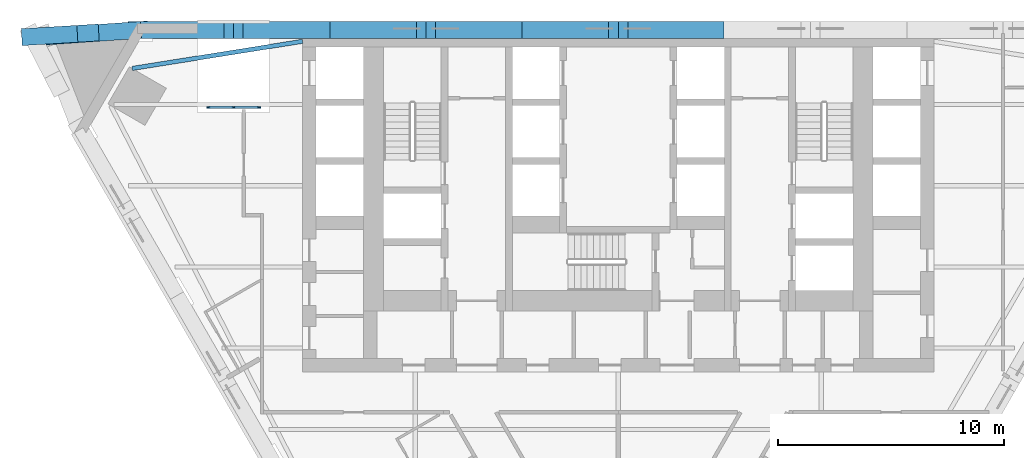
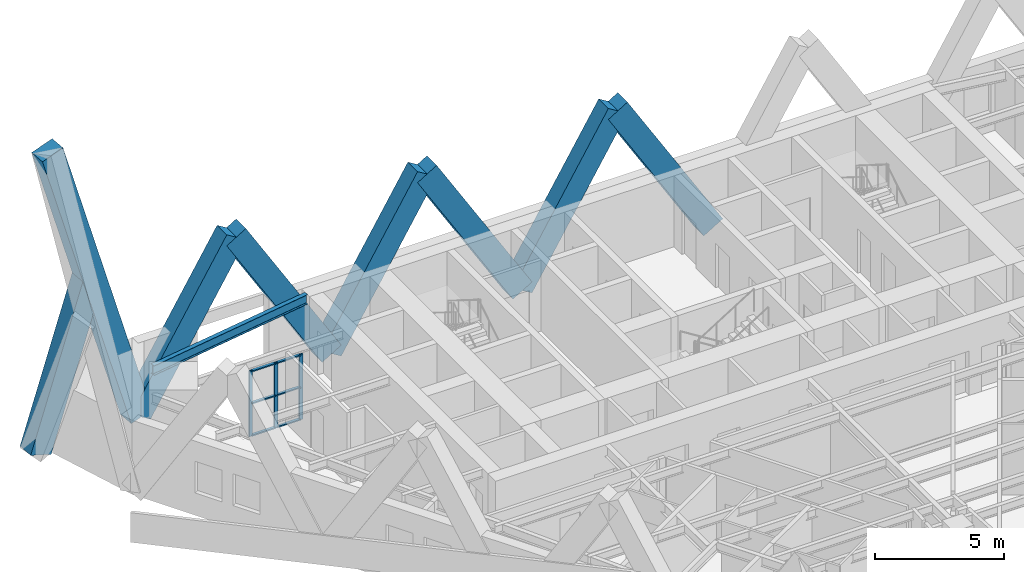
# One storey, part 2 of 11: 17 members, 1 beam, 1 element without a shape of its own.
"""IFC4 building model written with IfcOpenShell, lengths in metres."""

from ifc_helpers import new_model, si_unit, direction, frame, origin, origin_2d, place, context, subcontext, project, spatial, rectangle, i_section, extrude, material, material_profile, profile_set, type_object, element, aggregate, save


model = new_model("IFC4")

# Units and contexts
model_context = context("Model", 3, precision=1e-05, world=origin(), true_north=direction((0.0, 1.0)))
body_context = subcontext(model_context, "Body", "Model", "MODEL_VIEW")
ifc_project = project(units=[si_unit("LENGTHUNIT", "METRE"), si_unit("AREAUNIT", "SQUARE_METRE"), si_unit("VOLUMEUNIT", "CUBIC_METRE"), si_unit("PLANEANGLEUNIT", "RADIAN"), si_unit("MASSUNIT", "GRAM", prefix="KILO")], contexts=[model_context])

# Site, building, storey
site_placement = place(None, origin())
site = spatial("IfcSite", under=ifc_project, at=site_placement, CompositionType="ELEMENT")
building_placement = place(site_placement, origin())
building = spatial("IfcBuilding", under=site, at=building_placement, Name="Aloe Facet Convention Tower", CompositionType="ELEMENT")
storey_placement = place(building_placement, frame((0.0, 0.0, 95.800048828125)))
storey = spatial("IfcBuildingStorey", under=building, at=storey_placement, Name="L23", CompositionType="ELEMENT", Elevation=95.800048828125)

# Curtain wall, members
ifc_material_1 = material(Name="Aluminium, anodised", Category="aluminium")
curtain_wall_type = type_object("IfcCurtainWallType", Name="EV-CW-TERRACE", PredefinedType="USERDEFINED", material=ifc_material_1)
curtain_wall_placement = place(storey_placement, origin())
curtain_wall = element("IfcCurtainWall", 1, at=curtain_wall_placement, inside=storey, type_object=curtain_wall_type, Name="CW-T04", ObjectType="TERRACE BACK GLAZING", PredefinedType="USERDEFINED")
ifc_material_2 = material(Name="Aluminium, anodised", Category="aluminium")
ifc_material_profile_1 = material_profile(ifc_material_2, rectangle(XDim=0.06005859375, YDim=0.14990234375, at=origin_2d()), Name="AL 60x150")
ifc_profile_set_1 = profile_set([ifc_material_profile_1], Name="Aluminium, anodised")
member_type_1 = type_object("IfcMemberType", Name="EV-MULL-TERRACE", PredefinedType="MULLION", material=ifc_profile_set_1)
member_1_placement = place(storey_placement, frame((64.062744140625, 131.27490234375, -0.150146484375), z_axis=(0.0, 0.0, 1.0), x_axis=(0.0, -1.0, 0.0)))
member_1 = element("IfcMember", 2, at=member_1_placement, type_object=member_type_1, Name="CW-T04 mullion 1", PredefinedType="MULLION", context=body_context, shape_type="SweptSolid", body=[
    extrude(rectangle(XDim=0.06005859375, YDim=0.14990234375, at=origin_2d()), origin(), (0.0, 0.0, 1.0), 3.097412109375),
])
member_2_placement = place(storey_placement, frame((62.94287109375, 131.27490234375, -0.150146484375), z_axis=(0.0, 0.0, 1.0), x_axis=(0.0, -1.0, 0.0)))
member_2 = element("IfcMember", 3, at=member_2_placement, type_object=member_type_1, Name="CW-T04 mullion 2", PredefinedType="MULLION", context=body_context, shape_type="SweptSolid", body=[
    extrude(rectangle(XDim=0.06005859375, YDim=0.14990234375, at=origin_2d()), origin(), (0.0, 0.0, 1.0), 3.097412109375),
])
member_3_placement = place(storey_placement, frame((61.82275390625, 131.27490234375, -0.150146484375), z_axis=(0.0, 0.0, 1.0), x_axis=(0.0, -1.0, 0.0)))
member_3 = element("IfcMember", 4, at=member_3_placement, type_object=member_type_1, Name="CW-T04 mullion 3", PredefinedType="MULLION", context=body_context, shape_type="SweptSolid", body=[
    extrude(rectangle(XDim=0.06005859375, YDim=0.14990234375, at=origin_2d()), origin(), (0.0, 0.0, 1.0), 3.097412109375),
])
ifc_material_3 = material(Name="Aluminium, anodised", Category="aluminium")
ifc_material_profile_2 = material_profile(ifc_material_3, rectangle(XDim=0.1201171875, YDim=0.06005859375, at=origin_2d()), Name="AL 120x60")
ifc_profile_set_2 = profile_set([ifc_material_profile_2], Name="Aluminium, anodised")
member_type_2 = type_object("IfcMemberType", Name="EV-TRAN-TERRACE", PredefinedType="USERDEFINED", material=ifc_profile_set_2)
member_4_placement = place(storey_placement, frame((64.03271484375, 131.27490234375, -0.1201171875), z_axis=(-1.0, 0.0, 0.0), x_axis=(0.0, -1.0, 0.0)))
member_4 = element("IfcMember", 5, at=member_4_placement, type_object=member_type_2, Name="CW-T04 transom 1.1", ObjectType="TRANSOM", PredefinedType="USERDEFINED", context=body_context, shape_type="SweptSolid", body=[
    extrude(rectangle(XDim=0.1201171875, YDim=0.06005859375, at=origin_2d()), origin(), (0.0, 0.0, 1.0), 1.06005859375),
])
member_5_placement = place(storey_placement, frame((64.03271484375, 131.27490234375, 1.398681640625), z_axis=(-1.0, 0.0, 0.0), x_axis=(0.0, -1.0, 0.0)))
member_5 = element("IfcMember", 6, at=member_5_placement, type_object=member_type_2, Name="CW-T04 transom 1.2", ObjectType="TRANSOM", PredefinedType="USERDEFINED", context=body_context, shape_type="SweptSolid", body=[
    extrude(rectangle(XDim=0.1201171875, YDim=0.06005859375, at=origin_2d()), origin(), (0.0, 0.0, 1.0), 1.06005859375),
])
member_6_placement = place(storey_placement, frame((64.03271484375, 131.27490234375, 2.917236328125), z_axis=(-1.0, 0.0, 0.0), x_axis=(0.0, -1.0, 0.0)))
member_6 = element("IfcMember", 7, at=member_6_placement, type_object=member_type_2, Name="CW-T04 transom 1.3", ObjectType="TRANSOM", PredefinedType="USERDEFINED", context=body_context, shape_type="SweptSolid", body=[
    extrude(rectangle(XDim=0.1201171875, YDim=0.06005859375, at=origin_2d()), origin(), (0.0, 0.0, 1.0), 1.06005859375),
])
member_7_placement = place(storey_placement, frame((62.912841796875, 131.27490234375, -0.1201171875), z_axis=(-1.0, 0.0, 0.0), x_axis=(0.0, -1.0, 0.0)))
member_7 = element("IfcMember", 8, at=member_7_placement, type_object=member_type_2, Name="CW-T04 transom 2.1", ObjectType="TRANSOM", PredefinedType="USERDEFINED", context=body_context, shape_type="SweptSolid", body=[
    extrude(rectangle(XDim=0.1201171875, YDim=0.06005859375, at=origin_2d()), origin(), (0.0, 0.0, 1.0), 1.06005859375),
])
member_8_placement = place(storey_placement, frame((62.912841796875, 131.27490234375, 1.398681640625), z_axis=(-1.0, 0.0, 0.0), x_axis=(0.0, -1.0, 0.0)))
member_8 = element("IfcMember", 9, at=member_8_placement, type_object=member_type_2, Name="CW-T04 transom 2.2", ObjectType="TRANSOM", PredefinedType="USERDEFINED", context=body_context, shape_type="SweptSolid", body=[
    extrude(rectangle(XDim=0.1201171875, YDim=0.06005859375, at=origin_2d()), origin(), (0.0, 0.0, 1.0), 1.06005859375),
])
member_9_placement = place(storey_placement, frame((62.912841796875, 131.27490234375, 2.917236328125), z_axis=(-1.0, 0.0, 0.0), x_axis=(0.0, -1.0, 0.0)))
member_9 = element("IfcMember", 10, at=member_9_placement, type_object=member_type_2, Name="CW-T04 transom 2.3", ObjectType="TRANSOM", PredefinedType="USERDEFINED", context=body_context, shape_type="SweptSolid", body=[
    extrude(rectangle(XDim=0.1201171875, YDim=0.06005859375, at=origin_2d()), origin(), (0.0, 0.0, 1.0), 1.06005859375),
])
aggregate(curtain_wall, [member_1, member_2, member_3, member_4, member_5, member_6, member_7, member_8, member_9])

# Beam
ifc_material_4 = material(Name="Steel S355", Category="steel")
ifc_material_profile_3 = material_profile(ifc_material_4, i_section(OverallWidth=0.18994140625, OverallDepth=0.453369140625, WebThickness=0.008544921875, FlangeThickness=0.0126953125, FilletRadius=0.01025390625, at=origin_2d()), Name="UB 457x191x67")
ifc_profile_set_3 = profile_set([ifc_material_profile_3], Name="Steel S355")
beam_type = type_object("IfcBeamType", Name="SF-B-UB457x191x67", PredefinedType="BEAM", material=ifc_profile_set_3)
beam_placement = place(storey_placement, frame((66.0, 134.205078125, 3.123291015625), z_axis=(-0.987536396348, -0.15739080624, 0.0), x_axis=(0.15739080624, -0.987536396348, 0.0)))
element("IfcBeam", 11, at=beam_placement, inside=storey, type_object=beam_type, Name="Floor beam FB-Z2E-001", PredefinedType="BEAM", context=body_context, shape_type="SweptSolid", body=[
    extrude(i_section(OverallWidth=0.18994140625, OverallDepth=0.453369140625, WebThickness=0.008544921875, FlangeThickness=0.0126953125, FilletRadius=0.01025390625, at=origin_2d()), origin(), (0.0, 0.0, 1.0), 7.653564453125),
])

# Members
ifc_material_5 = material(Name="Concrete C60/75, bronze oxide finish", Category="concrete")
ifc_material_profile_4 = material_profile(ifc_material_5, rectangle(XDim=0.75, YDim=1.0, at=origin_2d()), Name="STW-LM")
ifc_profile_set_4 = profile_set([ifc_material_profile_4], Name="Concrete C60/75, bronze oxide finish")
member_type_3 = type_object("IfcMemberType", Name="STW-LM", PredefinedType="BRACE", material=ifc_profile_set_4)
for number, where, z_axis, x_axis, name in (
    (12, (84.264404296875, 134.699951171875, 0.0), (-0.520261568685, 0.0, 0.854006967272), (0.0, -1.0, 0.0), "Lattice member LM-Z2-F1-R2-05"),
    (13, (75.735595703125, 134.699951171875, 0.0), (0.520261568685, 0.0, 0.854006967272), (0.0, 1.0, 0.0), "Lattice member LM-Z2-F1-R2-06"),
    (14, (75.735595703125, 134.699951171875, 0.0), (-0.520239844858, 0.0, 0.854020201062), (0.0, -1.0, 0.0), "Lattice member LM-Z2-F1-R2-07"),
    (15, (67.20703125, 134.699951171875, 0.0), (0.520261568685, 0.0, 0.854006967272), (0.0, 1.0, 0.0), "Lattice member LM-Z2-F1-R2-08"),
    (16, (67.20703125, 134.699951171875, 0.0), (-0.520239844858, 0.0, 0.854020201062), (0.0, -1.0, 0.0), "Lattice member LM-Z2-F1-R2-09"),
    (17, (58.678466796875, 134.699951171875, 0.0), (0.520261568685, 0.0, 0.854006967272), (0.0, 1.0, 0.0), "Lattice member LM-Z2-F1-R2-10"),
):
    element("IfcMember", number, at=place(storey_placement, frame(where, z_axis=z_axis, x_axis=x_axis)), inside=storey, type_object=member_type_3, Name=name, PredefinedType="BRACE", context=body_context, shape_type="SweptSolid", body=[
        extrude(rectangle(XDim=0.75, YDim=1.0, at=origin_2d()), origin(), (0.0, 0.0, 1.0), 8.196533203125),
    ])
member_10_placement = place(storey_placement, frame((58.678466796875, 134.699951171875, 0.0), z_axis=(-0.283189849886, -0.01981459448, 0.95885916107), x_axis=(0.069798648075, -0.997561100247, 0.0)))
element("IfcMember", 18, at=member_10_placement, inside=storey, type_object=member_type_3, Name="Lattice member LM-Z2-F4-R2-01", PredefinedType="BRACE", context=body_context, shape_type="SweptSolid", body=[
    extrude(rectangle(XDim=0.75, YDim=1.0, at=origin_2d()), origin(), (0.0, 0.0, 1.0), 14.6005859375),
])
member_11_placement = place(storey_placement, frame((54.021484375, 134.416748046875, 0.0), z_axis=(0.31557884683, 0.019214037303, 0.948704807727), x_axis=(-0.060772523494, 0.99815164198, 0.0)))
element("IfcMember", 19, at=member_11_placement, inside=storey, type_object=member_type_3, Name="Lattice member LM-Z2-F4-R2-02", PredefinedType="BRACE", context=body_context, shape_type="SweptSolid", body=[
    extrude(rectangle(XDim=0.75, YDim=1.0, at=origin_2d()), origin(), (0.0, 0.0, 1.0), 7.814453125),
])

save(model, "model.ifc")
